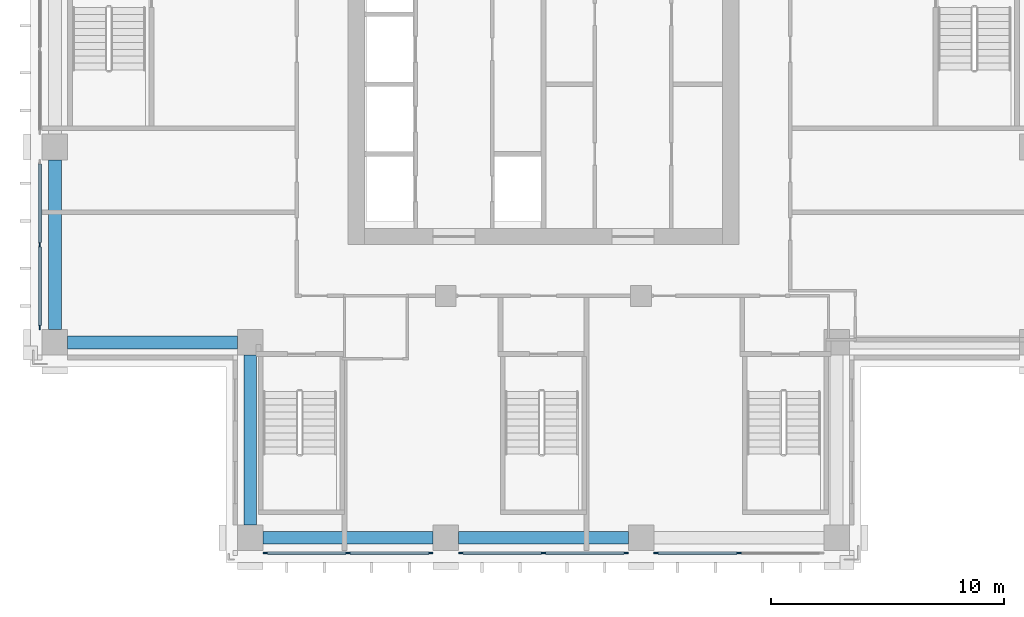
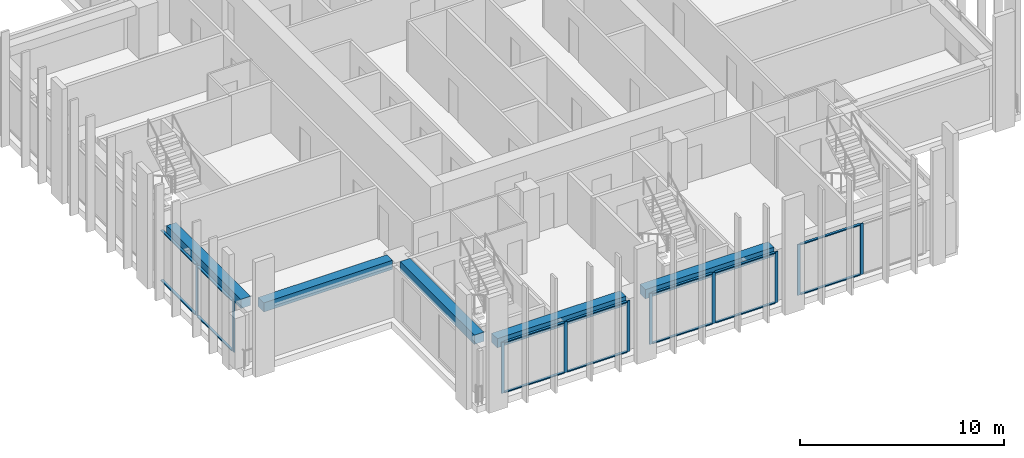
# One storey, part 2 of 16: 24 members, 5 beams, 4 elements without a shape of their own.
"""IFC4 building model written with IfcOpenShell, lengths in metres."""

import ifcopenshell
import ifcopenshell.guid

model = None  # the IFC model being written
_history = None  # IfcOwnerHistory: only IFC2X3 demands one
_inside = {}  # id of a spatial element -> (the spatial element, [elements in it])
_under = {}  # id of a project, library or spatial element -> (it, [spatial elements below it])
_declared = {}  # id of a project -> (the project, [libraries it declares])
_typed = {}  # id of a type object -> (the type object, [elements of that type])
_made_of = {}  # id of a material, layer set ... -> (it, [elements and type objects made of it])


def new_model(schema):
    """Start an empty IFC model of exactly this schema.

    Asked for "IFC4X3", IfcOpenShell would pick the latest addendum, in which some entities
    have other attributes; the version numbers below select the first issue.
    IFC2X3 requires an IfcOwnerHistory on every rooted entity: one is made here for all.
    """
    global model, _history
    if schema == "IFC4X3":
        model = ifcopenshell.file(schema_version=(4, 3, 0, 0))
    else:
        model = ifcopenshell.file(schema=schema)
    _inside.clear()
    _under.clear()
    _declared.clear()
    _typed.clear()
    _made_of.clear()
    _history = None
    if model.schema == "IFC2X3":
        org = make("IfcOrganization", Name="unknown")
        user = make(
            "IfcPersonAndOrganization",
            ThePerson=make("IfcPerson", FamilyName="unknown"),
            TheOrganization=org,
        )
        app = make(
            "IfcApplication",
            ApplicationDeveloper=org,
            Version="unknown",
            ApplicationFullName="unknown",
            ApplicationIdentifier="unknown",
        )
        _history = make(
            "IfcOwnerHistory",
            OwningUser=user,
            OwningApplication=app,
            ChangeAction="ADDED",
            CreationDate=0,
        )
    return model


def make(cls, **values):
    """One entity of the class cls with the attributes given. An attribute that is None is left unset."""
    return model.create_entity(
        cls, **{name: value for name, value in values.items() if value is not None}
    )


def rooted(cls, **values):
    """An entity with a GlobalId (a new one), such as an element, a storey or a relation."""
    return make(cls, GlobalId=ifcopenshell.guid.new(), OwnerHistory=_history, **values)


def si_unit(unit_type, name, prefix=None):
    """IfcSIUnit, for example si_unit("LENGTHUNIT", "METRE", prefix="MILLI")."""
    return make("IfcSIUnit", UnitType=unit_type, Prefix=prefix, Name=name)


def assignment(units):
    """IfcUnitAssignment: the units of a project."""
    return None if units is None else make("IfcUnitAssignment", Units=units)


def point(xyz):
    """IfcCartesianPoint."""
    return None if xyz is None else make("IfcCartesianPoint", Coordinates=xyz)


def direction(xyz):
    """IfcDirection."""
    return None if xyz is None else make("IfcDirection", DirectionRatios=xyz)


def frame(location, z_axis=None, x_axis=None):
    """IfcAxis2Placement3D, a coordinate frame: its origin and axes. An axis left out is left unset."""
    return make(
        "IfcAxis2Placement3D",
        Location=point(location),
        Axis=direction(z_axis),
        RefDirection=direction(x_axis),
    )


def frame_2d(location, x_axis=None):
    """IfcAxis2Placement2D, a coordinate frame in the plane: its origin and x axis."""
    return make(
        "IfcAxis2Placement2D", Location=point(location), RefDirection=direction(x_axis)
    )


def origin():
    """The frame at (0, 0, 0) with its axes left unset."""
    return frame((0.0, 0.0, 0.0))


def origin_2d():
    """The frame at (0, 0) in the plane with its x axis left unset."""
    return frame_2d((0.0, 0.0))


def place(relative_to, where):
    """IfcLocalPlacement: puts the frame where relative to a parent placement (None: the world)."""
    return make(
        "IfcLocalPlacement", PlacementRelTo=relative_to, RelativePlacement=where
    )


def context(
    kind, dimensions, precision=None, world=None, true_north=None, identifier=None
):
    """IfcGeometricRepresentationContext, for example the 3D "Model" context."""
    return make(
        "IfcGeometricRepresentationContext",
        ContextIdentifier=identifier,
        ContextType=kind,
        CoordinateSpaceDimension=dimensions,
        Precision=precision,
        WorldCoordinateSystem=world,
        TrueNorth=true_north,
    )


def subcontext(parent, identifier, kind, view, scale=None):
    """IfcGeometricRepresentationSubContext, for example "Body" below "Model"."""
    return make(
        "IfcGeometricRepresentationSubContext",
        ContextIdentifier=identifier,
        ContextType=kind,
        ParentContext=parent,
        TargetScale=scale,
        TargetView=view,
    )


def project(units=None, contexts=None):
    """IfcProject with its units and contexts."""
    return rooted(
        "IfcProject",
        Name="project",
        RepresentationContexts=contexts,
        UnitsInContext=assignment(units),
    )


def spatial(cls, under=None, at=None, **own):
    """A site, building, storey or space (cls), placed at a placement, below another one or the project."""
    s = rooted(cls, ObjectPlacement=at, **own)
    if under is not None:
        _under.setdefault(under.id(), (under, []))[1].append(s)
    return s


def profile(cls, at=None, kind="AREA", **sizes):
    """A parametric profile (cls). Its sizes go by their IFC names, for example OverallWidth=200.0."""
    return make(cls, ProfileType=kind, Position=at, **sizes)


def rectangle(**sizes):
    """IfcRectangleProfileDef."""
    return profile("IfcRectangleProfileDef", **sizes)


def extrude(swept, where, along, depth):
    """IfcExtrudedAreaSolid: the profile swept, set in the frame where, extruded along a direction by depth."""
    return make(
        "IfcExtrudedAreaSolid",
        SweptArea=swept,
        Position=where,
        ExtrudedDirection=direction(along),
        Depth=depth,
    )


def shape(context_of_items, identifier, shape_type, items):
    """IfcShapeRepresentation: the items that make up one representation, for example the "Body"."""
    return make(
        "IfcShapeRepresentation",
        ContextOfItems=context_of_items,
        RepresentationIdentifier=identifier,
        RepresentationType=shape_type,
        Items=items,
    )


def material(Name=None, Category=None):
    """IfcMaterial."""
    return make("IfcMaterial", Name=Name, Category=Category)


def material_profile(
    of_material, cross_section, Name=None, Category=None, Priority=None
):
    """IfcMaterialProfile: a cross section and its material."""
    return make(
        "IfcMaterialProfile",
        Name=Name,
        Material=of_material,
        Profile=cross_section,
        Priority=Priority,
        Category=Category,
    )


def profile_set(profiles, Name=None, composite=None):
    """IfcMaterialProfileSet."""
    return make(
        "IfcMaterialProfileSet",
        Name=Name,
        MaterialProfiles=profiles,
        CompositeProfile=composite,
    )


def made_of(thing, what):
    """Note that an element or type object is made of a material, layer set ...; save() writes the relation."""
    if what is not None:
        _made_of.setdefault(what.id(), (what, []))[1].append(thing)
    return thing


def type_object(cls, material=None, **own):
    """A type object (cls), such as IfcWallType, which elements share."""
    return made_of(rooted(cls, **own), material)


def element(
    cls,
    number,
    at=None,
    inside=None,
    cuts=None,
    type_object=None,
    material=None,
    context=None,
    identifier="Body",
    shape_type=None,
    held_by="IfcProductDefinitionShape",
    body=None,
    shapes=None,
    **own,
):
    """One element of the class cls, such as IfcWall. Its Tag is "e" and its number.

    at: its placement. inside: the storey or other place that contains it. cuts: it is an
    opening in that element (IfcRelVoidsElement). A single representation is given by context,
    identifier, shape_type and body (its items); several are given by shapes. held_by: the class
    of the entity that holds the representations. save() writes the other relations.
    """
    e = rooted(cls, Tag="e%d" % number, ObjectPlacement=at, **own)
    if body is not None:
        shapes = [shape(context, identifier, shape_type, body)]
    if shapes is not None:
        e.Representation = make(held_by, Representations=shapes)
    if inside is not None:
        _inside.setdefault(inside.id(), (inside, []))[1].append(e)
    if cuts is not None:
        rooted(
            "IfcRelVoidsElement", RelatingBuildingElement=cuts, RelatedOpeningElement=e
        )
    if type_object is not None:
        _typed.setdefault(type_object.id(), (type_object, []))[1].append(e)
    return made_of(e, material)


def aggregate(whole, parts):
    """IfcRelAggregates: a whole, such as a stair, and the parts it consists of."""
    return rooted("IfcRelAggregates", RelatingObject=whole, RelatedObjects=parts)


def save(model, path):
    """Write the relations noted so far, then the file.

    IfcRelAggregates (storeys below a building ...), IfcRelContainedInSpatialStructure (elements
    in a storey), IfcRelDefinesByType, IfcRelAssociatesMaterial and IfcRelDeclares: one each for
    every whole, place, type object, material and project.
    """
    for whole, parts in _under.values():
        aggregate(whole, parts)
    for where, things in _inside.values():
        rooted(
            "IfcRelContainedInSpatialStructure",
            RelatedElements=things,
            RelatingStructure=where,
        )
    for kind, things in _typed.values():
        rooted("IfcRelDefinesByType", RelatedObjects=things, RelatingType=kind)
    for what, things in _made_of.values():
        rooted("IfcRelAssociatesMaterial", RelatedObjects=things, RelatingMaterial=what)
    for by, libraries in _declared.values():
        rooted("IfcRelDeclares", RelatingContext=by, RelatedDefinitions=libraries)
    model.write(path)


model = new_model("IFC4")

# Units and contexts
model_context = context("Model", 3, precision=1e-05, world=origin(), true_north=direction((0.0, 1.0)))
body_context = subcontext(model_context, "Body", "Model", "MODEL_VIEW")
ifc_project = project(units=[si_unit("LENGTHUNIT", "METRE"), si_unit("AREAUNIT", "SQUARE_METRE"), si_unit("VOLUMEUNIT", "CUBIC_METRE"), si_unit("PLANEANGLEUNIT", "RADIAN"), si_unit("MASSUNIT", "GRAM", prefix="KILO")], contexts=[model_context])

# Site, building, storey
site_placement = place(None, origin())
site = spatial("IfcSite", under=ifc_project, at=site_placement, CompositionType="ELEMENT")
building_placement = place(site_placement, origin())
building = spatial("IfcBuilding", under=site, at=building_placement, Name="Vermilion Ogive Tower", CompositionType="ELEMENT")
storey_placement = place(building_placement, frame((0.0, 0.0, 143.449951171875)))
storey = spatial("IfcBuildingStorey", under=building, at=storey_placement, Name="L36", CompositionType="ELEMENT", Elevation=143.449951171875)

# Curtain wall, members
ifc_material_1 = material(Name="Low-iron laminated glazing in aluminium frame", Category="aluminium")
curtain_wall_type = type_object("IfcCurtainWallType", Name="Curtain wall CW7", PredefinedType="NOTDEFINED", material=ifc_material_1)
curtain_wall_1_placement = place(storey_placement, origin())
curtain_wall_1 = element("IfcCurtainWall", 1, at=curtain_wall_1_placement, inside=storey, type_object=curtain_wall_type, Name="Glazed skin S1", PredefinedType="NOTDEFINED")
ifc_material_2 = material(Name="Aluminium mullion", Category="aluminium")
ifc_material_profile_1 = material_profile(ifc_material_2, rectangle(XDim=0.06005859375, YDim=0.179931640625, at=origin_2d()), Name="AL 60x180")
ifc_profile_set_1 = profile_set([ifc_material_profile_1], Name="Aluminium mullion")
member_type_1 = type_object("IfcMemberType", Name="CW7 mullion 60x180", PredefinedType="MULLION", material=ifc_profile_set_1)
member_1_placement = place(storey_placement, frame((-11.9599609375, -21.64990234375, 0.0), z_axis=(0.0, 0.0, 1.0), x_axis=(0.0, 1.0, 0.0)))
member_1 = element("IfcMember", 2, at=member_1_placement, type_object=member_type_1, Name="CW7-S1 mullion 1", PredefinedType="MULLION", context=body_context, shape_type="SweptSolid", body=[
    extrude(rectangle(XDim=0.06005859375, YDim=0.179931640625, at=origin_2d()), origin(), (0.0, 0.0, 1.0), 3.050048828125),
])
member_2_placement = place(storey_placement, frame((-8.39990234375, -21.64990234375, 0.0), z_axis=(0.0, 0.0, 1.0), x_axis=(0.0, 1.0, 0.0)))
member_2 = element("IfcMember", 3, at=member_2_placement, type_object=member_type_1, Name="CW7-S1 mullion 2", PredefinedType="MULLION", context=body_context, shape_type="SweptSolid", body=[
    extrude(rectangle(XDim=0.06005859375, YDim=0.179931640625, at=origin_2d()), origin(), (0.0, 0.0, 1.0), 3.050048828125),
])
member_3_placement = place(storey_placement, frame((-4.840087890625, -21.64990234375, 0.0), z_axis=(0.0, 0.0, 1.0), x_axis=(0.0, 1.0, 0.0)))
member_3 = element("IfcMember", 4, at=member_3_placement, type_object=member_type_1, Name="CW7-S1 mullion 3", PredefinedType="MULLION", context=body_context, shape_type="SweptSolid", body=[
    extrude(rectangle(XDim=0.06005859375, YDim=0.179931640625, at=origin_2d()), origin(), (0.0, 0.0, 1.0), 3.050048828125),
])

curtain_wall_2_placement = place(storey_placement, origin())
curtain_wall_2 = element("IfcCurtainWall", 5, at=curtain_wall_2_placement, inside=storey, type_object=curtain_wall_type, Name="Glazed skin S2", PredefinedType="NOTDEFINED")
member_4_placement = place(storey_placement, frame((-3.56005859375, -21.64990234375, 0.0), z_axis=(0.0, 0.0, 1.0), x_axis=(0.0, 1.0, 0.0)))
member_4 = element("IfcMember", 6, at=member_4_placement, type_object=member_type_1, Name="CW7-S2 mullion 1", PredefinedType="MULLION", context=body_context, shape_type="SweptSolid", body=[
    extrude(rectangle(XDim=0.06005859375, YDim=0.179931640625, at=origin_2d()), origin(), (0.0, 0.0, 1.0), 3.050048828125),
])
member_5_placement = place(storey_placement, frame((0.0, -21.64990234375, 0.0), z_axis=(0.0, 0.0, 1.0), x_axis=(0.0, 1.0, 0.0)))
member_5 = element("IfcMember", 7, at=member_5_placement, type_object=member_type_1, Name="CW7-S2 mullion 2", PredefinedType="MULLION", context=body_context, shape_type="SweptSolid", body=[
    extrude(rectangle(XDim=0.06005859375, YDim=0.179931640625, at=origin_2d()), origin(), (0.0, 0.0, 1.0), 3.050048828125),
])
member_6_placement = place(storey_placement, frame((3.56005859375, -21.64990234375, 0.0), z_axis=(0.0, 0.0, 1.0), x_axis=(0.0, 1.0, 0.0)))
member_6 = element("IfcMember", 8, at=member_6_placement, type_object=member_type_1, Name="CW7-S2 mullion 3", PredefinedType="MULLION", context=body_context, shape_type="SweptSolid", body=[
    extrude(rectangle(XDim=0.06005859375, YDim=0.179931640625, at=origin_2d()), origin(), (0.0, 0.0, 1.0), 3.050048828125),
])

curtain_wall_3_placement = place(storey_placement, origin())
curtain_wall_3 = element("IfcCurtainWall", 9, at=curtain_wall_3_placement, inside=storey, type_object=curtain_wall_type, Name="Glazed skin S3", PredefinedType="NOTDEFINED")
member_7_placement = place(storey_placement, frame((4.840087890625, -21.64990234375, 0.0), z_axis=(0.0, 0.0, 1.0), x_axis=(0.0, 1.0, 0.0)))
member_7 = element("IfcMember", 10, at=member_7_placement, type_object=member_type_1, Name="CW7-S3 mullion 1", PredefinedType="MULLION", context=body_context, shape_type="SweptSolid", body=[
    extrude(rectangle(XDim=0.06005859375, YDim=0.179931640625, at=origin_2d()), origin(), (0.0, 0.0, 1.0), 3.050048828125),
])
member_8_placement = place(storey_placement, frame((8.39990234375, -21.64990234375, 0.0), z_axis=(0.0, 0.0, 1.0), x_axis=(0.0, 1.0, 0.0)))
member_8 = element("IfcMember", 11, at=member_8_placement, type_object=member_type_1, Name="CW7-S3 mullion 2", PredefinedType="MULLION", context=body_context, shape_type="SweptSolid", body=[
    extrude(rectangle(XDim=0.06005859375, YDim=0.179931640625, at=origin_2d()), origin(), (0.0, 0.0, 1.0), 3.050048828125),
])

curtain_wall_4_placement = place(storey_placement, origin())
curtain_wall_4 = element("IfcCurtainWall", 12, at=curtain_wall_4_placement, inside=storey, type_object=curtain_wall_type, Name="Glazed skin W3", PredefinedType="NOTDEFINED")
member_9_placement = place(storey_placement, frame((-21.64990234375, -8.39990234375, 0.0), z_axis=(0.0, 0.0, 1.0), x_axis=(1.0, 0.0, 0.0)))
member_9 = element("IfcMember", 13, at=member_9_placement, type_object=member_type_1, Name="CW7-W3 mullion 2", PredefinedType="MULLION", context=body_context, shape_type="SweptSolid", body=[
    extrude(rectangle(XDim=0.06005859375, YDim=0.179931640625, at=origin_2d()), origin(), (0.0, 0.0, 1.0), 3.050048828125),
])
member_10_placement = place(storey_placement, frame((-21.64990234375, -11.9599609375, 0.0), z_axis=(0.0, 0.0, 1.0), x_axis=(1.0, 0.0, 0.0)))
member_10 = element("IfcMember", 14, at=member_10_placement, type_object=member_type_1, Name="CW7-W3 mullion 3", PredefinedType="MULLION", context=body_context, shape_type="SweptSolid", body=[
    extrude(rectangle(XDim=0.06005859375, YDim=0.179931640625, at=origin_2d()), origin(), (0.0, 0.0, 1.0), 3.050048828125),
])

# Member
ifc_material_3 = material(Name="Aluminium transom", Category="aluminium")
ifc_material_profile_2 = material_profile(ifc_material_3, rectangle(XDim=0.139892578125, YDim=0.06005859375, at=origin_2d()), Name="AL 60x140")
ifc_profile_set_2 = profile_set([ifc_material_profile_2], Name="Aluminium transom")
member_type_2 = type_object("IfcMemberType", Name="CW7 transom 60x140", PredefinedType="USERDEFINED", material=ifc_profile_set_2)
member_11_placement = place(storey_placement, frame((-11.8701171875, -21.64990234375, 0.030029296875), z_axis=(1.0, 0.0, 0.0), x_axis=(0.0, 1.0, 0.0)))
member_11 = element("IfcMember", 15, at=member_11_placement, type_object=member_type_2, Name="CW7-S1 transom 1.1", ObjectType="TRANSOM", PredefinedType="USERDEFINED", context=body_context, shape_type="SweptSolid", body=[
    extrude(rectangle(XDim=0.139892578125, YDim=0.06005859375, at=origin_2d()), origin(), (0.0, 0.0, 1.0), 3.380126953125),
])

member_12_placement = place(storey_placement, frame((-11.8701171875, -21.64990234375, 3.02001953125), z_axis=(1.0, 0.0, 0.0), x_axis=(0.0, 1.0, 0.0)))
member_12 = element("IfcMember", 16, at=member_12_placement, type_object=member_type_2, Name="CW7-S1 transom 1.2", ObjectType="TRANSOM", PredefinedType="USERDEFINED", context=body_context, shape_type="SweptSolid", body=[
    extrude(rectangle(XDim=0.139892578125, YDim=0.06005859375, at=origin_2d()), origin(), (0.0, 0.0, 1.0), 3.380126953125),
])

member_13_placement = place(storey_placement, frame((-8.31005859375, -21.64990234375, 0.030029296875), z_axis=(1.0, 0.0, 0.0), x_axis=(0.0, 1.0, 0.0)))
member_13 = element("IfcMember", 17, at=member_13_placement, type_object=member_type_2, Name="CW7-S1 transom 2.1", ObjectType="TRANSOM", PredefinedType="USERDEFINED", context=body_context, shape_type="SweptSolid", body=[
    extrude(rectangle(XDim=0.139892578125, YDim=0.06005859375, at=origin_2d()), origin(), (0.0, 0.0, 1.0), 3.380126953125),
])

member_14_placement = place(storey_placement, frame((-8.31005859375, -21.64990234375, 3.02001953125), z_axis=(1.0, 0.0, 0.0), x_axis=(0.0, 1.0, 0.0)))
member_14 = element("IfcMember", 18, at=member_14_placement, type_object=member_type_2, Name="CW7-S1 transom 2.2", ObjectType="TRANSOM", PredefinedType="USERDEFINED", context=body_context, shape_type="SweptSolid", body=[
    extrude(rectangle(XDim=0.139892578125, YDim=0.06005859375, at=origin_2d()), origin(), (0.0, 0.0, 1.0), 3.380126953125),
])

aggregate(curtain_wall_1, [member_1, member_2, member_3, member_11, member_12, member_13, member_14])

member_15_placement = place(storey_placement, frame((-3.469970703125, -21.64990234375, 0.030029296875), z_axis=(1.0, 0.0, 0.0), x_axis=(0.0, 1.0, 0.0)))
member_15 = element("IfcMember", 19, at=member_15_placement, type_object=member_type_2, Name="CW7-S2 transom 1.1", ObjectType="TRANSOM", PredefinedType="USERDEFINED", context=body_context, shape_type="SweptSolid", body=[
    extrude(rectangle(XDim=0.139892578125, YDim=0.06005859375, at=origin_2d()), origin(), (0.0, 0.0, 1.0), 3.3798828125),
])

member_16_placement = place(storey_placement, frame((-3.469970703125, -21.64990234375, 3.02001953125), z_axis=(1.0, 0.0, 0.0), x_axis=(0.0, 1.0, 0.0)))
member_16 = element("IfcMember", 20, at=member_16_placement, type_object=member_type_2, Name="CW7-S2 transom 1.2", ObjectType="TRANSOM", PredefinedType="USERDEFINED", context=body_context, shape_type="SweptSolid", body=[
    extrude(rectangle(XDim=0.139892578125, YDim=0.06005859375, at=origin_2d()), origin(), (0.0, 0.0, 1.0), 3.3798828125),
])

member_17_placement = place(storey_placement, frame((0.090087890625, -21.64990234375, 0.030029296875), z_axis=(1.0, 0.0, 0.0), x_axis=(0.0, 1.0, 0.0)))
member_17 = element("IfcMember", 21, at=member_17_placement, type_object=member_type_2, Name="CW7-S2 transom 2.1", ObjectType="TRANSOM", PredefinedType="USERDEFINED", context=body_context, shape_type="SweptSolid", body=[
    extrude(rectangle(XDim=0.139892578125, YDim=0.06005859375, at=origin_2d()), origin(), (0.0, 0.0, 1.0), 3.3798828125),
])

member_18_placement = place(storey_placement, frame((0.090087890625, -21.64990234375, 3.02001953125), z_axis=(1.0, 0.0, 0.0), x_axis=(0.0, 1.0, 0.0)))
member_18 = element("IfcMember", 22, at=member_18_placement, type_object=member_type_2, Name="CW7-S2 transom 2.2", ObjectType="TRANSOM", PredefinedType="USERDEFINED", context=body_context, shape_type="SweptSolid", body=[
    extrude(rectangle(XDim=0.139892578125, YDim=0.06005859375, at=origin_2d()), origin(), (0.0, 0.0, 1.0), 3.3798828125),
])

aggregate(curtain_wall_2, [member_4, member_5, member_6, member_15, member_16, member_17, member_18])

member_19_placement = place(storey_placement, frame((4.929931640625, -21.64990234375, 0.030029296875), z_axis=(1.0, 0.0, 0.0), x_axis=(0.0, 1.0, 0.0)))
member_19 = element("IfcMember", 23, at=member_19_placement, type_object=member_type_2, Name="CW7-S3 transom 1.1", ObjectType="TRANSOM", PredefinedType="USERDEFINED", context=body_context, shape_type="SweptSolid", body=[
    extrude(rectangle(XDim=0.139892578125, YDim=0.06005859375, at=origin_2d()), origin(), (0.0, 0.0, 1.0), 3.380126953125),
])

member_20_placement = place(storey_placement, frame((4.929931640625, -21.64990234375, 3.02001953125), z_axis=(1.0, 0.0, 0.0), x_axis=(0.0, 1.0, 0.0)))
member_20 = element("IfcMember", 24, at=member_20_placement, type_object=member_type_2, Name="CW7-S3 transom 1.2", ObjectType="TRANSOM", PredefinedType="USERDEFINED", context=body_context, shape_type="SweptSolid", body=[
    extrude(rectangle(XDim=0.139892578125, YDim=0.06005859375, at=origin_2d()), origin(), (0.0, 0.0, 1.0), 3.380126953125),
])

aggregate(curtain_wall_3, [member_7, member_8, member_19, member_20])

member_21_placement = place(storey_placement, frame((-21.64990234375, -4.929931640625, 0.030029296875), z_axis=(0.0, -1.0, 0.0), x_axis=(1.0, 0.0, 0.0)))
member_21 = element("IfcMember", 25, at=member_21_placement, type_object=member_type_2, Name="CW7-W3 transom 1.1", ObjectType="TRANSOM", PredefinedType="USERDEFINED", context=body_context, shape_type="SweptSolid", body=[
    extrude(rectangle(XDim=0.139892578125, YDim=0.06005859375, at=origin_2d()), origin(), (0.0, 0.0, 1.0), 3.380126953125),
])

member_22_placement = place(storey_placement, frame((-21.64990234375, -4.929931640625, 3.02001953125), z_axis=(0.0, -1.0, 0.0), x_axis=(1.0, 0.0, 0.0)))
member_22 = element("IfcMember", 26, at=member_22_placement, type_object=member_type_2, Name="CW7-W3 transom 1.2", ObjectType="TRANSOM", PredefinedType="USERDEFINED", context=body_context, shape_type="SweptSolid", body=[
    extrude(rectangle(XDim=0.139892578125, YDim=0.06005859375, at=origin_2d()), origin(), (0.0, 0.0, 1.0), 3.380126953125),
])

member_23_placement = place(storey_placement, frame((-21.64990234375, -8.489990234375, 0.030029296875), z_axis=(0.0, -1.0, 0.0), x_axis=(1.0, 0.0, 0.0)))
member_23 = element("IfcMember", 27, at=member_23_placement, type_object=member_type_2, Name="CW7-W3 transom 2.1", ObjectType="TRANSOM", PredefinedType="USERDEFINED", context=body_context, shape_type="SweptSolid", body=[
    extrude(rectangle(XDim=0.139892578125, YDim=0.06005859375, at=origin_2d()), origin(), (0.0, 0.0, 1.0), 3.380126953125),
])

member_24_placement = place(storey_placement, frame((-21.64990234375, -8.489990234375, 3.02001953125), z_axis=(0.0, -1.0, 0.0), x_axis=(1.0, 0.0, 0.0)))
member_24 = element("IfcMember", 28, at=member_24_placement, type_object=member_type_2, Name="CW7-W3 transom 2.2", ObjectType="TRANSOM", PredefinedType="USERDEFINED", context=body_context, shape_type="SweptSolid", body=[
    extrude(rectangle(XDim=0.139892578125, YDim=0.06005859375, at=origin_2d()), origin(), (0.0, 0.0, 1.0), 3.380126953125),
])

aggregate(curtain_wall_4, [member_9, member_10, member_21, member_22, member_23, member_24])

# Beams
ifc_material_4 = material(Name="Concrete B45", Category="concrete")
ifc_material_profile_3 = material_profile(ifc_material_4, rectangle(XDim=0.550048828125, YDim=0.550048828125, at=origin_2d()), Name="550 x 550")
ifc_profile_set_3 = profile_set([ifc_material_profile_3], Name="Concrete B45")
beam_type = type_object("IfcBeamType", Name="Edge beam 550 x 550 B45", PredefinedType="BEAM", material=ifc_profile_set_3)
beam_1_placement = place(storey_placement, frame((-12.050048828125, -21.0, 2.775146484375), z_axis=(1.0, 0.0, 0.0), x_axis=(0.0, 1.0, 0.0)))
element("IfcBeam", 29, at=beam_1_placement, inside=storey, type_object=beam_type, Name="L36-EB-1", PredefinedType="BEAM", context=body_context, shape_type="SweptSolid", body=[
    extrude(rectangle(XDim=0.550048828125, YDim=0.550048828125, at=origin_2d()), origin(), (0.0, 0.0, 1.0), 7.300048828125),
])
beam_2_placement = place(storey_placement, frame((-3.64990234375, -21.0, 2.775146484375), z_axis=(1.0, 0.0, 0.0), x_axis=(0.0, 1.0, 0.0)))
element("IfcBeam", 30, at=beam_2_placement, inside=storey, type_object=beam_type, Name="L36-EB-2", PredefinedType="BEAM", context=body_context, shape_type="SweptSolid", body=[
    extrude(rectangle(XDim=0.550048828125, YDim=0.550048828125, at=origin_2d()), origin(), (0.0, 0.0, 1.0), 7.2998046875),
])
for number, where, z_axis, x_axis, name in (
    (31, (-21.0, -4.75, 2.775146484375), (0.0, -1.0, 0.0), (1.0, 0.0, 0.0), "L36-EB-15"),
    (32, (-20.449951171875, -12.60009765625, 2.775146484375), (1.0, 0.0, 0.0), (0.0, 1.0, 0.0), "L36-EB-16"),
    (33, (-12.60009765625, -13.14990234375, 2.775146484375), (0.0, -1.0, 0.0), (1.0, 0.0, 0.0), "L36-EB-17"),
):
    element("IfcBeam", number, at=place(storey_placement, frame(where, z_axis=z_axis, x_axis=x_axis)), inside=storey, type_object=beam_type, Name=name, PredefinedType="BEAM", context=body_context, shape_type="SweptSolid", body=[
        extrude(rectangle(XDim=0.550048828125, YDim=0.550048828125, at=origin_2d()), origin(), (0.0, 0.0, 1.0), 7.300048828125),
    ])

save(model, "model.ifc")
